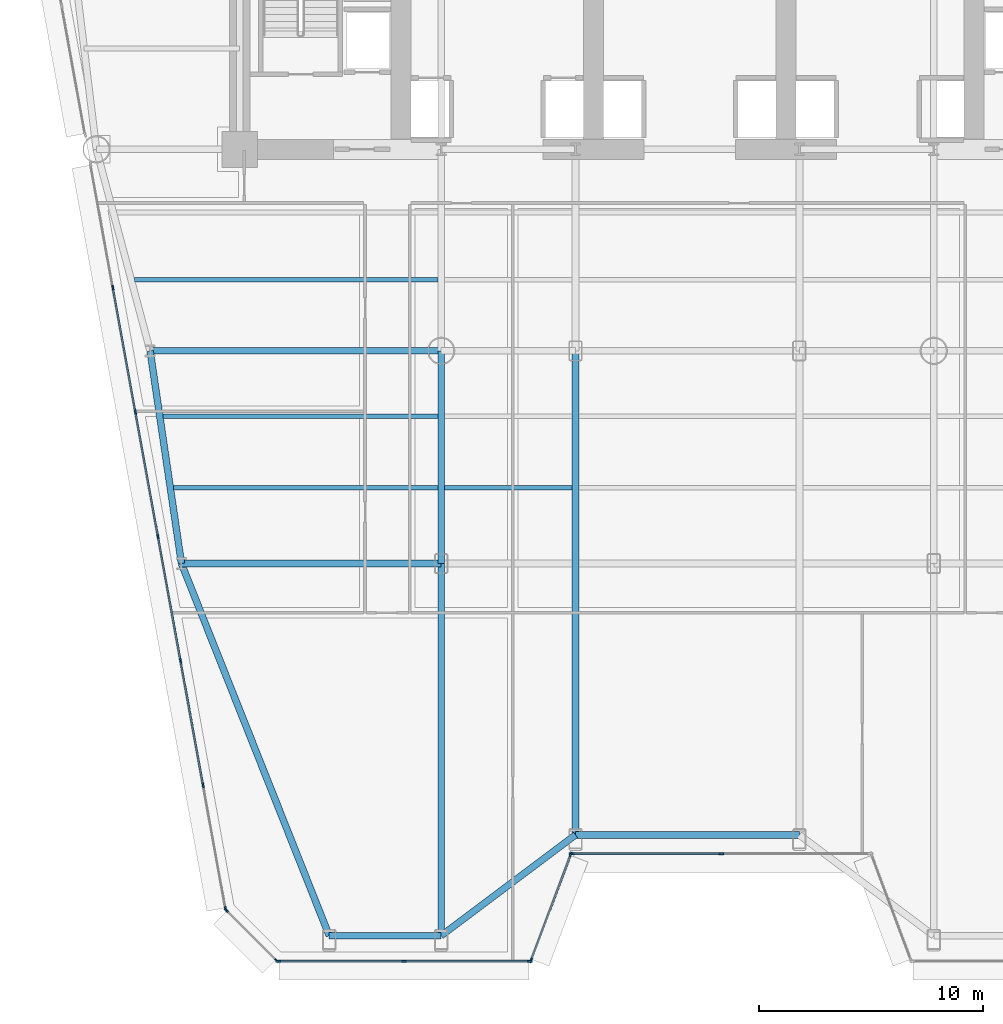
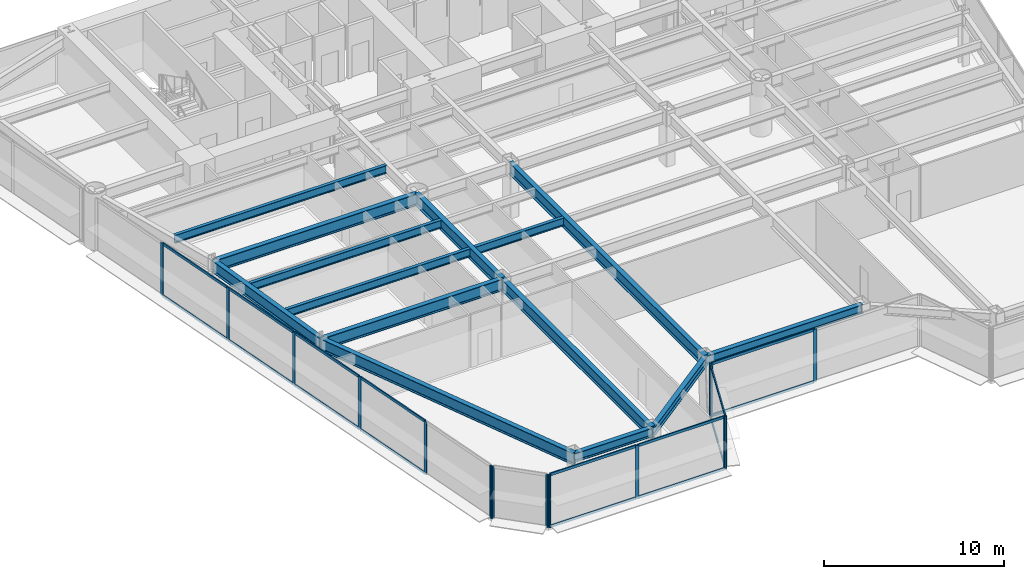
# One storey, part 2 of 14: 31 members, 14 beams, 5 elements without a shape of their own.
"""IFC4 building model written with IfcOpenShell, lengths in metres."""

from ifc_helpers import new_model, si_unit, direction, frame, origin, origin_2d, place, context, subcontext, project, spatial, rectangle, i_section, extrude, source, transform, mapped, material, layer, layer_set, material_profile, profile_set, type_object, element, aggregate, save


model = new_model("IFC4")

# Units and contexts
model_context = context("Model", 3, precision=1e-05, world=origin(), true_north=direction((0.0, 1.0)))
body_context = subcontext(model_context, "Body", "Model", "MODEL_VIEW")
ifc_project = project(units=[si_unit("LENGTHUNIT", "METRE"), si_unit("AREAUNIT", "SQUARE_METRE"), si_unit("VOLUMEUNIT", "CUBIC_METRE"), si_unit("PLANEANGLEUNIT", "RADIAN"), si_unit("MASSUNIT", "GRAM", prefix="KILO")], contexts=[model_context])

# Site, building, storey
site_placement = place(None, origin())
site = spatial("IfcSite", under=ifc_project, at=site_placement, CompositionType="ELEMENT")
building_placement = place(site_placement, origin())
building = spatial("IfcBuilding", under=site, at=building_placement, Name="Vaeldorn Concourse Tower", CompositionType="ELEMENT")
storey_placement = place(building_placement, frame((0.0, 0.0, 22.60009765625)))
storey = spatial("IfcBuildingStorey", under=building, at=storey_placement, Name="L05", CompositionType="ELEMENT", Elevation=22.60009765625)

# Beams
ifc_material_1 = material(Name="Steel S355", Category="steel")
ifc_material_profile_1 = material_profile(ifc_material_1, i_section(OverallWidth=0.300048828125, OverallDepth=0.800048828125, WebThickness=0.017578125, FlangeThickness=0.032958984375, FilletRadius=0.030029296875, at=origin_2d()), Name="HEB 800")
ifc_profile_set_1 = profile_set([ifc_material_profile_1], Name="Steel S355")
beam_type_1 = type_object("IfcBeamType", Name="BM-PG-HEB800", PredefinedType="BEAM", material=ifc_profile_set_1)
shared_shape_1 = source(origin(), body_context, "Body", "SweptSolid", [
    extrude(i_section(OverallWidth=0.300048828125, OverallDepth=0.800048828125, WebThickness=0.017578125, FlangeThickness=0.032958984375, FilletRadius=0.030029296875, at=origin_2d()), origin(), (0.0, 0.0, 1.0), 13.0),
])
beam_1_placement = place(storey_placement, frame((10.0, 27.5, 3.179931640625), z_axis=(1.0, 0.0, 0.0), x_axis=(0.0, 1.0, 0.0)))
element("IfcBeam", 1, at=beam_1_placement, inside=storey, type_object=beam_type_1, Name="Beam BM-L05-C-FLW1-C-TW1", PredefinedType="BEAM", context=body_context, shape_type="MappedRepresentation", body=[
    mapped(shared_shape_1, transform((0.0, 0.0, 0.0), scale=1.0)),
])
ifc_material_profile_2 = material_profile(ifc_material_1, i_section(OverallWidth=0.300048828125, OverallDepth=0.60009765625, WebThickness=0.015380859375, FlangeThickness=0.030029296875, FilletRadius=0.027099609375, at=origin_2d()), Name="HEB 600")
ifc_profile_set_2 = profile_set([ifc_material_profile_2], Name="Steel S355")
beam_type_2 = type_object("IfcBeamType", Name="BM-SP-HEB600", PredefinedType="SPANDREL", material=ifc_profile_set_2)
shared_shape_2 = source(origin(), body_context, "Body", "SweptSolid", [
    extrude(i_section(OverallWidth=0.300048828125, OverallDepth=0.60009765625, WebThickness=0.015380859375, FlangeThickness=0.030029296875, FilletRadius=0.027099609375, at=origin_2d()), origin(), (0.0, 0.0, 1.0), 5.0),
])
beam_2_placement = place(storey_placement, frame((18.0, 1.378173828125, 3.27978515625), z_axis=(1.0, 0.0, 0.0), x_axis=(0.0, 1.0, 0.0)))
element("IfcBeam", 2, at=beam_2_placement, inside=storey, type_object=beam_type_2, Name="Beam BM-L05-C-SF1-C-SF2", PredefinedType="SPANDREL", context=body_context, shape_type="MappedRepresentation", body=[
    mapped(shared_shape_2, transform((0.0, 0.0, 0.0), scale=1.0)),
])
shared_shape_3 = source(origin(), body_context, "Body", "SweptSolid", [
    extrude(i_section(OverallWidth=0.300048828125, OverallDepth=0.60009765625, WebThickness=0.015380859375, FlangeThickness=0.030029296875, FilletRadius=0.027099609375, at=origin_2d()), origin(), (0.0, 0.0, 1.0), 7.5),
])
beam_3_placement = place(storey_placement, frame((23.0, 1.378173828125, 3.27978515625), z_axis=(0.8, 0.6, 0.0), x_axis=(-0.6, 0.8, 0.0)))
element("IfcBeam", 3, at=beam_3_placement, inside=storey, type_object=beam_type_2, Name="Beam BM-L05-C-SF2-C-SF3", PredefinedType="SPANDREL", context=body_context, shape_type="MappedRepresentation", body=[
    mapped(shared_shape_3, transform((0.0, 0.0, 0.0), scale=1.0)),
])
shared_shape_4 = source(origin(), body_context, "Body", "SweptSolid", [
    extrude(i_section(OverallWidth=0.300048828125, OverallDepth=0.60009765625, WebThickness=0.015380859375, FlangeThickness=0.030029296875, FilletRadius=0.027099609375, at=origin_2d()), origin(), (0.0, 0.0, 1.0), 10.0),
])
beam_4_placement = place(storey_placement, frame((29.0, 5.878173828125, 3.27978515625), z_axis=(1.0, 0.0, 0.0), x_axis=(0.0, 1.0, 0.0)))
element("IfcBeam", 4, at=beam_4_placement, inside=storey, type_object=beam_type_2, Name="Beam BM-L05-C-SF3-C-SF4", PredefinedType="SPANDREL", context=body_context, shape_type="MappedRepresentation", body=[
    mapped(shared_shape_4, transform((0.0, 0.0, 0.0), scale=1.0)),
])
shared_shape_5 = source(origin(), body_context, "Body", "SweptSolid", [
    extrude(i_section(OverallWidth=0.300048828125, OverallDepth=0.800048828125, WebThickness=0.017578125, FlangeThickness=0.032958984375, FilletRadius=0.030029296875, at=origin_2d()), origin(), (0.0, 0.0, 1.0), 9.6025390625),
])
beam_5_placement = place(storey_placement, frame((10.0, 27.5, 3.179931640625), z_axis=(0.145783835977, -0.989316467652, 0.0), x_axis=(0.989316467652, 0.145783835977, 0.0)))
element("IfcBeam", 5, at=beam_5_placement, inside=storey, type_object=beam_type_1, Name="Beam BM-L05-C-FLW1-C-FLW2", PredefinedType="BEAM", context=body_context, shape_type="MappedRepresentation", body=[
    mapped(shared_shape_5, transform((0.0, 0.0, 0.0), scale=1.0)),
])
shared_shape_6 = source(origin(), body_context, "Body", "SweptSolid", [
    extrude(i_section(OverallWidth=0.300048828125, OverallDepth=0.800048828125, WebThickness=0.017578125, FlangeThickness=0.032958984375, FilletRadius=0.030029296875, at=origin_2d()), origin(), (0.0, 0.0, 1.0), 11.60009765625),
])
beam_6_placement = place(storey_placement, frame((11.39990234375, 18.0, 3.179931640625), z_axis=(1.0, 0.0, 0.0), x_axis=(0.0, 1.0, 0.0)))
element("IfcBeam", 6, at=beam_6_placement, inside=storey, type_object=beam_type_1, Name="Beam BM-L05-C-FLW2-C-TW5", PredefinedType="BEAM", context=body_context, shape_type="MappedRepresentation", body=[
    mapped(shared_shape_6, transform((0.0, 0.0, 0.0), scale=1.0)),
])
shared_shape_7 = source(origin(), body_context, "Body", "SweptSolid", [
    extrude(i_section(OverallWidth=0.300048828125, OverallDepth=0.800048828125, WebThickness=0.017578125, FlangeThickness=0.032958984375, FilletRadius=0.030029296875, at=origin_2d()), origin(), (0.0, 0.0, 1.0), 9.5),
])
beam_7_placement = place(storey_placement, frame((23.0, 18.0, 3.179931640625), z_axis=(0.0, 1.0, 0.0), x_axis=(-1.0, 0.0, 0.0)))
element("IfcBeam", 7, at=beam_7_placement, inside=storey, type_object=beam_type_1, Name="Beam BM-L05-C-TW5-C-TW1", PredefinedType="BEAM", context=body_context, shape_type="MappedRepresentation", body=[
    mapped(shared_shape_7, transform((0.0, 0.0, 0.0), scale=1.0)),
])
ifc_material_profile_3 = material_profile(ifc_material_1, i_section(OverallWidth=0.2099609375, OverallDepth=0.550048828125, WebThickness=0.010986328125, FlangeThickness=0.01708984375, FilletRadius=0.02392578125, at=origin_2d()), Name="IPE 550")
ifc_profile_set_3 = profile_set([ifc_material_profile_3], Name="Steel S355")
beam_type_3 = type_object("IfcBeamType", Name="BM-JS-IPE550", PredefinedType="JOIST", material=ifc_profile_set_3)
shared_shape_8 = source(origin(), body_context, "Body", "SweptSolid", [
    extrude(i_section(OverallWidth=0.2099609375, OverallDepth=0.550048828125, WebThickness=0.010986328125, FlangeThickness=0.01708984375, FilletRadius=0.02392578125, at=origin_2d()), origin(), (0.0, 0.0, 1.0), 5.7001953125),
])
beam_8_placement = place(storey_placement, frame((23.14990234375, 21.3798828125, 3.304931640625), z_axis=(1.0, 0.0, 0.0), x_axis=(0.0, 1.0, 0.0)))
element("IfcBeam", 8, at=beam_8_placement, inside=storey, type_object=beam_type_3, Name="Beam JS-L05-W2-213", PredefinedType="JOIST", context=body_context, shape_type="MappedRepresentation", body=[
    mapped(shared_shape_8, transform((0.0, 0.0, 0.0), scale=1.0)),
])
shared_shape_9 = source(origin(), body_context, "Body", "SweptSolid", [
    extrude(i_section(OverallWidth=0.300048828125, OverallDepth=0.800048828125, WebThickness=0.017578125, FlangeThickness=0.032958984375, FilletRadius=0.030029296875, at=origin_2d()), origin(), (0.0, 0.0, 1.0), 17.88427734375),
])
beam_9_placement = place(storey_placement, frame((18.0, 1.378173828125, 3.179931640625), z_axis=(-0.369045260184, 0.92941142447, 0.0), x_axis=(-0.92941142447, -0.369045260184, 0.0)))
element("IfcBeam", 9, at=beam_9_placement, inside=storey, type_object=beam_type_1, Name="Beam BM-L05-C-SF1-C-FLW2", PredefinedType="BEAM", context=body_context, shape_type="MappedRepresentation", body=[
    mapped(shared_shape_9, transform((0.0, 0.0, 0.0), scale=1.0)),
])
shared_shape_10 = source(origin(), body_context, "Body", "SweptSolid", [
    extrude(i_section(OverallWidth=0.300048828125, OverallDepth=0.800048828125, WebThickness=0.017578125, FlangeThickness=0.032958984375, FilletRadius=0.030029296875, at=origin_2d()), origin(), (0.0, 0.0, 1.0), 16.621826171875),
])
beam_10_placement = place(storey_placement, frame((23.0, 1.378173828125, 3.179931640625), z_axis=(0.0, 1.0, 0.0), x_axis=(-1.0, 0.0, 0.0)))
element("IfcBeam", 10, at=beam_10_placement, inside=storey, type_object=beam_type_1, Name="Beam BM-L05-C-SF2-C-TW5", PredefinedType="BEAM", context=body_context, shape_type="MappedRepresentation", body=[
    mapped(shared_shape_10, transform((0.0, 0.0, 0.0), scale=1.0)),
])
shared_shape_11 = source(origin(), body_context, "Body", "SweptSolid", [
    extrude(i_section(OverallWidth=0.300048828125, OverallDepth=0.800048828125, WebThickness=0.017578125, FlangeThickness=0.032958984375, FilletRadius=0.030029296875, at=origin_2d()), origin(), (0.0, 0.0, 1.0), 21.621826171875),
])
beam_11_placement = place(storey_placement, frame((29.0, 5.878173828125, 3.179931640625), z_axis=(0.0, 1.0, 0.0), x_axis=(-1.0, 0.0, 0.0)))
element("IfcBeam", 11, at=beam_11_placement, inside=storey, type_object=beam_type_1, Name="Beam BM-L05-C-SF3-C-TW2", PredefinedType="BEAM", context=body_context, shape_type="MappedRepresentation", body=[
    mapped(shared_shape_11, transform((0.0, 0.0, 0.0), scale=1.0)),
])
shared_shape_12 = source(origin(), body_context, "Body", "SweptSolid", [
    extrude(i_section(OverallWidth=0.2099609375, OverallDepth=0.550048828125, WebThickness=0.010986328125, FlangeThickness=0.01708984375, FilletRadius=0.02392578125, at=origin_2d()), origin(), (0.0, 0.0, 1.0), 11.798095703125),
])
beam_12_placement = place(storey_placement, frame((11.052001953125, 21.3798828125, 3.304931640625), z_axis=(1.0, 0.0, 0.0), x_axis=(0.0, 1.0, 0.0)))
element("IfcBeam", 12, at=beam_12_placement, inside=storey, type_object=beam_type_3, Name="Beam JS-L05-W1-213", PredefinedType="JOIST", context=body_context, shape_type="MappedRepresentation", body=[
    mapped(shared_shape_12, transform((0.0, 0.0, 0.0), scale=1.0)),
])
shared_shape_13 = source(origin(), body_context, "Body", "SweptSolid", [
    extrude(i_section(OverallWidth=0.2099609375, OverallDepth=0.550048828125, WebThickness=0.010986328125, FlangeThickness=0.01708984375, FilletRadius=0.02392578125, at=origin_2d()), origin(), (0.0, 0.0, 1.0), 12.269775390625),
])
beam_13_placement = place(storey_placement, frame((10.580322265625, 24.580078125, 3.304931640625), z_axis=(1.0, 0.0, 0.0), x_axis=(0.0, 1.0, 0.0)))
element("IfcBeam", 13, at=beam_13_placement, inside=storey, type_object=beam_type_3, Name="Beam JS-L05-W1-245", PredefinedType="JOIST", context=body_context, shape_type="MappedRepresentation", body=[
    mapped(shared_shape_13, transform((0.0, 0.0, 0.0), scale=1.0)),
])
shared_shape_14 = source(origin(), body_context, "Body", "SweptSolid", [
    extrude(i_section(OverallWidth=0.2099609375, OverallDepth=0.550048828125, WebThickness=0.010986328125, FlangeThickness=0.01708984375, FilletRadius=0.02392578125, at=origin_2d()), origin(), (0.0, 0.0, 1.0), 13.548095703125),
])
beam_14_placement = place(storey_placement, frame((9.302001953125, 30.679931640625, 3.304931640625), z_axis=(1.0, 0.0, 0.0), x_axis=(0.0, 1.0, 0.0)))
element("IfcBeam", 14, at=beam_14_placement, inside=storey, type_object=beam_type_3, Name="Beam JS-L05-W1-306", PredefinedType="JOIST", context=body_context, shape_type="MappedRepresentation", body=[
    mapped(shared_shape_14, transform((0.0, 0.0, 0.0), scale=1.0)),
])

# Curtain wall, members
ifc_material_2 = material(Name="Anodised Bronze Aluminium", Category="aluminium")
ifc_layer = layer(ifc_material_2, 0.219970703125)
ifc_layer_set = layer_set([ifc_layer], Name="Anodised Bronze Aluminium")
curtain_wall_type = type_object("IfcCurtainWallType", Name="CW-SYS-01", PredefinedType="NOTDEFINED", material=ifc_layer_set)
curtain_wall_1_placement = place(storey_placement, origin())
curtain_wall_1 = element("IfcCurtainWall", 15, at=curtain_wall_1_placement, inside=storey, type_object=curtain_wall_type, Name="Unitised Curtain Wall CW-L05-E01-1", PredefinedType="NOTDEFINED")
ifc_material_profile_4 = material_profile(ifc_material_2, rectangle(XDim=0.074951171875, YDim=0.219970703125, at=origin_2d()), Name="CWM 75x220")
ifc_profile_set_4 = profile_set([ifc_material_profile_4], Name="Anodised Bronze Aluminium")
member_type_1 = type_object("IfcMemberType", Name="CWM-BRONZE-220", PredefinedType="MULLION", material=ifc_profile_set_4)
shared_shape_15 = source(origin(), body_context, "Body", "SweptSolid", [
    extrude(rectangle(XDim=0.074951171875, YDim=0.219970703125, at=origin_2d()), origin(), (0.0, 0.0, 1.0), 3.579833984375),
])
member_1_placement = place(storey_placement, frame((15.712890625, 0.239013671875, 0.0), z_axis=(0.0, 0.0, 1.0), x_axis=(0.0, 1.0, 0.0)))
member_1 = element("IfcMember", 16, at=member_1_placement, type_object=member_type_1, Name="CW-01 mullion 1", PredefinedType="MULLION", context=body_context, shape_type="MappedRepresentation", body=[
    mapped(shared_shape_15, transform((0.0, 0.0, 0.0), scale=1.0)),
])
member_2_placement = place(storey_placement, frame((21.337646484375, 0.239013671875, 0.0), z_axis=(0.0, 0.0, 1.0), x_axis=(0.0, 1.0, 0.0)))
member_2 = element("IfcMember", 17, at=member_2_placement, type_object=member_type_1, Name="CW-01 mullion 2", PredefinedType="MULLION", context=body_context, shape_type="MappedRepresentation", body=[
    mapped(shared_shape_15, transform((0.0, 0.0, 0.0), scale=1.0)),
])
member_3_placement = place(storey_placement, frame((26.96240234375, 0.239013671875, 0.0), z_axis=(0.0, 0.0, 1.0), x_axis=(0.0, 1.0, 0.0)))
member_3 = element("IfcMember", 18, at=member_3_placement, type_object=member_type_1, Name="CW-01 mullion 3", PredefinedType="MULLION", context=body_context, shape_type="MappedRepresentation", body=[
    mapped(shared_shape_15, transform((0.0, 0.0, 0.0), scale=1.0)),
])

curtain_wall_2_placement = place(storey_placement, origin())
curtain_wall_2 = element("IfcCurtainWall", 19, at=curtain_wall_2_placement, inside=storey, type_object=curtain_wall_type, Name="Unitised Curtain Wall CW-L05-E02-1", PredefinedType="NOTDEFINED")
member_4_placement = place(storey_placement, frame((27.01318359375, 0.274169921875, 0.0), z_axis=(0.0, 0.0, 1.0), x_axis=(-0.936329177566, 0.351123441595, 0.0)))
member_4 = element("IfcMember", 20, at=member_4_placement, type_object=member_type_1, Name="CW-01 mullion 1", PredefinedType="MULLION", context=body_context, shape_type="MappedRepresentation", body=[
    mapped(shared_shape_15, transform((0.0, 0.0, 0.0), scale=1.0)),
])
member_5_placement = place(storey_placement, frame((28.786865234375, 5.00390625, 0.0), z_axis=(0.0, 0.0, 1.0), x_axis=(-0.936329177566, 0.351123441595, 0.0)))
member_5 = element("IfcMember", 21, at=member_5_placement, type_object=member_type_1, Name="CW-01 mullion 2", PredefinedType="MULLION", context=body_context, shape_type="MappedRepresentation", body=[
    mapped(shared_shape_15, transform((0.0, 0.0, 0.0), scale=1.0)),
])

curtain_wall_3_placement = place(storey_placement, origin())
curtain_wall_3 = element("IfcCurtainWall", 22, at=curtain_wall_3_placement, inside=storey, type_object=curtain_wall_type, Name="Unitised Curtain Wall CW-L05-E03-1", PredefinedType="NOTDEFINED")
member_6_placement = place(storey_placement, frame((28.83740234375, 5.0390625, 0.0), z_axis=(0.0, 0.0, 1.0), x_axis=(0.0, 1.0, 0.0)))
member_6 = element("IfcMember", 23, at=member_6_placement, type_object=member_type_1, Name="CW-01 mullion 1", PredefinedType="MULLION", context=body_context, shape_type="MappedRepresentation", body=[
    mapped(shared_shape_15, transform((0.0, 0.0, 0.0), scale=1.0)),
])
member_7_placement = place(storey_placement, frame((35.5, 5.0390625, 0.0), z_axis=(0.0, 0.0, 1.0), x_axis=(0.0, 1.0, 0.0)))
member_7 = element("IfcMember", 24, at=member_7_placement, type_object=member_type_1, Name="CW-01 mullion 2", PredefinedType="MULLION", context=body_context, shape_type="MappedRepresentation", body=[
    mapped(shared_shape_15, transform((0.0, 0.0, 0.0), scale=1.0)),
])

curtain_wall_4_placement = place(storey_placement, origin())
curtain_wall_4 = element("IfcCurtainWall", 25, at=curtain_wall_4_placement, inside=storey, type_object=curtain_wall_type, Name="Unitised Curtain Wall CW-L05-E11-2", PredefinedType="NOTDEFINED")
member_8_placement = place(storey_placement, frame((8.334228515625, 30.323486328125, 0.0), z_axis=(0.0, 0.0, 1.0), x_axis=(0.983935146293, 0.178526266665, 0.0)))
member_8 = element("IfcMember", 26, at=member_8_placement, type_object=member_type_1, Name="CW-01 mullion 2", PredefinedType="MULLION", context=body_context, shape_type="MappedRepresentation", body=[
    mapped(shared_shape_15, transform((0.0, 0.0, 0.0), scale=1.0)),
])
member_9_placement = place(storey_placement, frame((9.342529296875, 24.7666015625, 0.0), z_axis=(0.0, 0.0, 1.0), x_axis=(0.983935146293, 0.178526266665, 0.0)))
member_9 = element("IfcMember", 27, at=member_9_placement, type_object=member_type_1, Name="CW-01 mullion 3", PredefinedType="MULLION", context=body_context, shape_type="MappedRepresentation", body=[
    mapped(shared_shape_15, transform((0.0, 0.0, 0.0), scale=1.0)),
])
member_10_placement = place(storey_placement, frame((10.350830078125, 19.209716796875, 0.0), z_axis=(0.0, 0.0, 1.0), x_axis=(0.983935146293, 0.178526266665, 0.0)))
member_10 = element("IfcMember", 28, at=member_10_placement, type_object=member_type_1, Name="CW-01 mullion 4", PredefinedType="MULLION", context=body_context, shape_type="MappedRepresentation", body=[
    mapped(shared_shape_15, transform((0.0, 0.0, 0.0), scale=1.0)),
])
member_11_placement = place(storey_placement, frame((11.35888671875, 13.65283203125, 0.0), z_axis=(0.0, 0.0, 1.0), x_axis=(0.983935146293, 0.178526266665, 0.0)))
member_11 = element("IfcMember", 29, at=member_11_placement, type_object=member_type_1, Name="CW-01 mullion 5", PredefinedType="MULLION", context=body_context, shape_type="MappedRepresentation", body=[
    mapped(shared_shape_15, transform((0.0, 0.0, 0.0), scale=1.0)),
])
member_12_placement = place(storey_placement, frame((12.3671875, 8.095947265625, 0.0), z_axis=(0.0, 0.0, 1.0), x_axis=(0.983935146293, 0.178526266665, 0.0)))
member_12 = element("IfcMember", 30, at=member_12_placement, type_object=member_type_1, Name="CW-01 mullion 6", PredefinedType="MULLION", context=body_context, shape_type="MappedRepresentation", body=[
    mapped(shared_shape_15, transform((0.0, 0.0, 0.0), scale=1.0)),
])
member_13_placement = place(storey_placement, frame((13.368896484375, 2.575927734375, 0.0), z_axis=(0.0, 0.0, 1.0), x_axis=(0.983935146293, 0.178526266665, 0.0)))
member_13 = element("IfcMember", 31, at=member_13_placement, type_object=member_type_1, Name="CW-01 mullion 7", PredefinedType="MULLION", context=body_context, shape_type="MappedRepresentation", body=[
    mapped(shared_shape_15, transform((0.0, 0.0, 0.0), scale=1.0)),
])

curtain_wall_5_placement = place(storey_placement, origin())
curtain_wall_5 = element("IfcCurtainWall", 32, at=curtain_wall_5_placement, inside=storey, type_object=curtain_wall_type, Name="Unitised Curtain Wall CW-L05-E12-1", PredefinedType="NOTDEFINED")
member_14_placement = place(storey_placement, frame((13.402099609375, 2.5126953125, 0.0), z_axis=(0.0, 0.0, 1.0), x_axis=(0.707106781187, 0.707106781187, 0.0)))
member_14 = element("IfcMember", 33, at=member_14_placement, type_object=member_type_1, Name="CW-01 mullion 1", PredefinedType="MULLION", context=body_context, shape_type="MappedRepresentation", body=[
    mapped(shared_shape_15, transform((0.0, 0.0, 0.0), scale=1.0)),
])
member_15_placement = place(storey_placement, frame((15.64892578125, 0.265625, 0.0), z_axis=(0.0, 0.0, 1.0), x_axis=(0.707106781187, 0.707106781187, 0.0)))
member_15 = element("IfcMember", 34, at=member_15_placement, type_object=member_type_1, Name="CW-01 mullion 2", PredefinedType="MULLION", context=body_context, shape_type="MappedRepresentation", body=[
    mapped(shared_shape_15, transform((0.0, 0.0, 0.0), scale=1.0)),
])
aggregate(curtain_wall_5, [member_14, member_15])

# Member
ifc_material_profile_5 = material_profile(ifc_material_2, rectangle(XDim=0.074951171875, YDim=0.179931640625, at=origin_2d()), Name="CWT 75x180")
ifc_profile_set_5 = profile_set([ifc_material_profile_5], Name="Anodised Bronze Aluminium")
member_type_2 = type_object("IfcMemberType", Name="CWT-BRONZE-180", PredefinedType="USERDEFINED", material=ifc_profile_set_5)
shared_shape_16 = source(origin(), body_context, "Body", "SweptSolid", [
    extrude(rectangle(XDim=0.074951171875, YDim=0.179931640625, at=origin_2d()), origin(), (0.0, 0.0, 1.0), 6.58740234375),
])
member_16_placement = place(storey_placement, frame((28.875, 5.0390625, 0.037353515625), z_axis=(1.0, 0.0, 0.0), x_axis=(0.0, 1.0, 0.0)))
member_16 = element("IfcMember", 35, at=member_16_placement, type_object=member_type_2, Name="CW-01 transom 1.1", ObjectType="TRANSOM", PredefinedType="USERDEFINED", context=body_context, shape_type="MappedRepresentation", body=[
    mapped(shared_shape_16, transform((0.0, 0.0, 0.0), scale=1.0)),
])

member_17_placement = place(storey_placement, frame((28.875, 5.0390625, 3.54248046875), z_axis=(1.0, 0.0, 0.0), x_axis=(0.0, 1.0, 0.0)))
member_17 = element("IfcMember", 36, at=member_17_placement, type_object=member_type_2, Name="CW-01 transom 1.2", ObjectType="TRANSOM", PredefinedType="USERDEFINED", context=body_context, shape_type="MappedRepresentation", body=[
    mapped(shared_shape_16, transform((0.0, 0.0, 0.0), scale=1.0)),
])

aggregate(curtain_wall_3, [member_6, member_7, member_16, member_17])

shared_shape_17 = source(origin(), body_context, "Body", "SweptSolid", [
    extrude(rectangle(XDim=0.074951171875, YDim=0.179931640625, at=origin_2d()), origin(), (0.0, 0.0, 1.0), 5.5498046875),
])
member_18_placement = place(storey_placement, frame((15.75048828125, 0.239013671875, 0.037353515625), z_axis=(1.0, 0.0, 0.0), x_axis=(0.0, 1.0, 0.0)))
member_18 = element("IfcMember", 37, at=member_18_placement, type_object=member_type_2, Name="CW-01 transom 1.1", ObjectType="TRANSOM", PredefinedType="USERDEFINED", context=body_context, shape_type="MappedRepresentation", body=[
    mapped(shared_shape_17, transform((0.0, 0.0, 0.0), scale=1.0)),
])

member_19_placement = place(storey_placement, frame((15.75048828125, 0.239013671875, 3.54248046875), z_axis=(1.0, 0.0, 0.0), x_axis=(0.0, 1.0, 0.0)))
member_19 = element("IfcMember", 38, at=member_19_placement, type_object=member_type_2, Name="CW-01 transom 1.2", ObjectType="TRANSOM", PredefinedType="USERDEFINED", context=body_context, shape_type="MappedRepresentation", body=[
    mapped(shared_shape_17, transform((0.0, 0.0, 0.0), scale=1.0)),
])

member_20_placement = place(storey_placement, frame((21.375244140625, 0.239013671875, 0.037353515625), z_axis=(1.0, 0.0, 0.0), x_axis=(0.0, 1.0, 0.0)))
member_20 = element("IfcMember", 39, at=member_20_placement, type_object=member_type_2, Name="CW-01 transom 2.1", ObjectType="TRANSOM", PredefinedType="USERDEFINED", context=body_context, shape_type="MappedRepresentation", body=[
    mapped(shared_shape_17, transform((0.0, 0.0, 0.0), scale=1.0)),
])

member_21_placement = place(storey_placement, frame((21.375244140625, 0.239013671875, 3.54248046875), z_axis=(1.0, 0.0, 0.0), x_axis=(0.0, 1.0, 0.0)))
member_21 = element("IfcMember", 40, at=member_21_placement, type_object=member_type_2, Name="CW-01 transom 2.2", ObjectType="TRANSOM", PredefinedType="USERDEFINED", context=body_context, shape_type="MappedRepresentation", body=[
    mapped(shared_shape_17, transform((0.0, 0.0, 0.0), scale=1.0)),
])

aggregate(curtain_wall_1, [member_1, member_2, member_3, member_18, member_19, member_20, member_21])

shared_shape_18 = source(origin(), body_context, "Body", "SweptSolid", [
    extrude(rectangle(XDim=0.074951171875, YDim=0.179931640625, at=origin_2d()), origin(), (0.0, 0.0, 1.0), 4.9765625),
])
member_22_placement = place(storey_placement, frame((27.0263671875, 0.309326171875, 0.037353515625), z_axis=(0.351112688987, 0.936333209724, 0.0), x_axis=(-0.936333209724, 0.351112688987, 0.0)))
member_22 = element("IfcMember", 41, at=member_22_placement, type_object=member_type_2, Name="CW-01 transom 1.1", ObjectType="TRANSOM", PredefinedType="USERDEFINED", context=body_context, shape_type="MappedRepresentation", body=[
    mapped(shared_shape_18, transform((0.0, 0.0, 0.0), scale=1.0)),
])

member_23_placement = place(storey_placement, frame((27.0263671875, 0.309326171875, 3.54248046875), z_axis=(0.351112688987, 0.936333209724, 0.0), x_axis=(-0.936333209724, 0.351112688987, 0.0)))
member_23 = element("IfcMember", 42, at=member_23_placement, type_object=member_type_2, Name="CW-01 transom 1.2", ObjectType="TRANSOM", PredefinedType="USERDEFINED", context=body_context, shape_type="MappedRepresentation", body=[
    mapped(shared_shape_18, transform((0.0, 0.0, 0.0), scale=1.0)),
])

aggregate(curtain_wall_2, [member_4, member_5, member_22, member_23])

shared_shape_19 = source(origin(), body_context, "Body", "SweptSolid", [
    extrude(rectangle(XDim=0.074951171875, YDim=0.179931640625, at=origin_2d()), origin(), (0.0, 0.0, 1.0), 5.57275390625),
])
member_24_placement = place(storey_placement, frame((9.34912109375, 24.729736328125, 0.037353515625), z_axis=(0.178526883006, -0.983935034463, 0.0), x_axis=(0.983935034463, 0.178526883006, 0.0)))
member_24 = element("IfcMember", 43, at=member_24_placement, type_object=member_type_2, Name="CW-01 transom 3.1", ObjectType="TRANSOM", PredefinedType="USERDEFINED", context=body_context, shape_type="MappedRepresentation", body=[
    mapped(shared_shape_19, transform((0.0, 0.0, 0.0), scale=1.0)),
])

member_25_placement = place(storey_placement, frame((9.34912109375, 24.729736328125, 3.54248046875), z_axis=(0.178526883006, -0.983935034463, 0.0), x_axis=(0.983935034463, 0.178526883006, 0.0)))
member_25 = element("IfcMember", 44, at=member_25_placement, type_object=member_type_2, Name="CW-01 transom 3.2", ObjectType="TRANSOM", PredefinedType="USERDEFINED", context=body_context, shape_type="MappedRepresentation", body=[
    mapped(shared_shape_19, transform((0.0, 0.0, 0.0), scale=1.0)),
])

member_26_placement = place(storey_placement, frame((10.357421875, 19.1728515625, 0.037353515625), z_axis=(0.178526883006, -0.983935034463, 0.0), x_axis=(0.983935034463, 0.178526883006, 0.0)))
member_26 = element("IfcMember", 45, at=member_26_placement, type_object=member_type_2, Name="CW-01 transom 4.1", ObjectType="TRANSOM", PredefinedType="USERDEFINED", context=body_context, shape_type="MappedRepresentation", body=[
    mapped(shared_shape_19, transform((0.0, 0.0, 0.0), scale=1.0)),
])

member_27_placement = place(storey_placement, frame((10.357421875, 19.1728515625, 3.54248046875), z_axis=(0.178526883006, -0.983935034463, 0.0), x_axis=(0.983935034463, 0.178526883006, 0.0)))
member_27 = element("IfcMember", 46, at=member_27_placement, type_object=member_type_2, Name="CW-01 transom 4.2", ObjectType="TRANSOM", PredefinedType="USERDEFINED", context=body_context, shape_type="MappedRepresentation", body=[
    mapped(shared_shape_19, transform((0.0, 0.0, 0.0), scale=1.0)),
])

member_28_placement = place(storey_placement, frame((11.36572265625, 13.615966796875, 0.037353515625), z_axis=(0.178526883006, -0.983935034463, 0.0), x_axis=(0.983935034463, 0.178526883006, 0.0)))
member_28 = element("IfcMember", 47, at=member_28_placement, type_object=member_type_2, Name="CW-01 transom 5.1", ObjectType="TRANSOM", PredefinedType="USERDEFINED", context=body_context, shape_type="MappedRepresentation", body=[
    mapped(shared_shape_19, transform((0.0, 0.0, 0.0), scale=1.0)),
])

member_29_placement = place(storey_placement, frame((11.36572265625, 13.615966796875, 3.54248046875), z_axis=(0.178526883006, -0.983935034463, 0.0), x_axis=(0.983935034463, 0.178526883006, 0.0)))
member_29 = element("IfcMember", 48, at=member_29_placement, type_object=member_type_2, Name="CW-01 transom 5.2", ObjectType="TRANSOM", PredefinedType="USERDEFINED", context=body_context, shape_type="MappedRepresentation", body=[
    mapped(shared_shape_19, transform((0.0, 0.0, 0.0), scale=1.0)),
])

shared_shape_20 = source(origin(), body_context, "Body", "SweptSolid", [
    extrude(rectangle(XDim=0.074951171875, YDim=0.179931640625, at=origin_2d()), origin(), (0.0, 0.0, 1.0), 5.572509765625),
])
member_30_placement = place(storey_placement, frame((8.341064453125, 30.28662109375, 0.037353515625), z_axis=(0.178492162827, -0.98394133352, 0.0), x_axis=(0.98394133352, 0.178492162827, 0.0)))
member_30 = element("IfcMember", 49, at=member_30_placement, type_object=member_type_2, Name="CW-01 transom 2.1", ObjectType="TRANSOM", PredefinedType="USERDEFINED", context=body_context, shape_type="MappedRepresentation", body=[
    mapped(shared_shape_20, transform((0.0, 0.0, 0.0), scale=1.0)),
])

member_31_placement = place(storey_placement, frame((8.341064453125, 30.28662109375, 3.54248046875), z_axis=(0.178492162827, -0.98394133352, 0.0), x_axis=(0.98394133352, 0.178492162827, 0.0)))
member_31 = element("IfcMember", 50, at=member_31_placement, type_object=member_type_2, Name="CW-01 transom 2.2", ObjectType="TRANSOM", PredefinedType="USERDEFINED", context=body_context, shape_type="MappedRepresentation", body=[
    mapped(shared_shape_20, transform((0.0, 0.0, 0.0), scale=1.0)),
])

aggregate(curtain_wall_4, [member_8, member_9, member_10, member_11, member_12, member_13, member_30, member_31, member_24, member_25, member_26, member_27, member_28, member_29])

save(model, "model.ifc")
